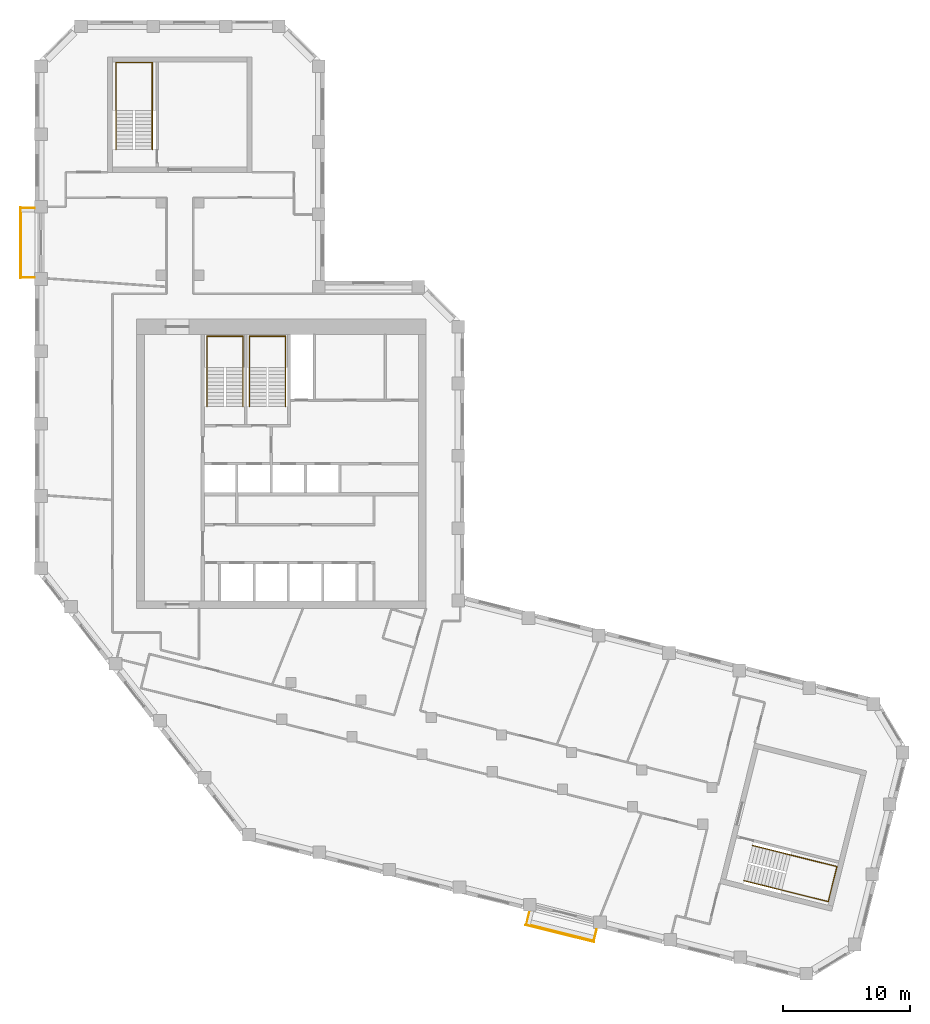
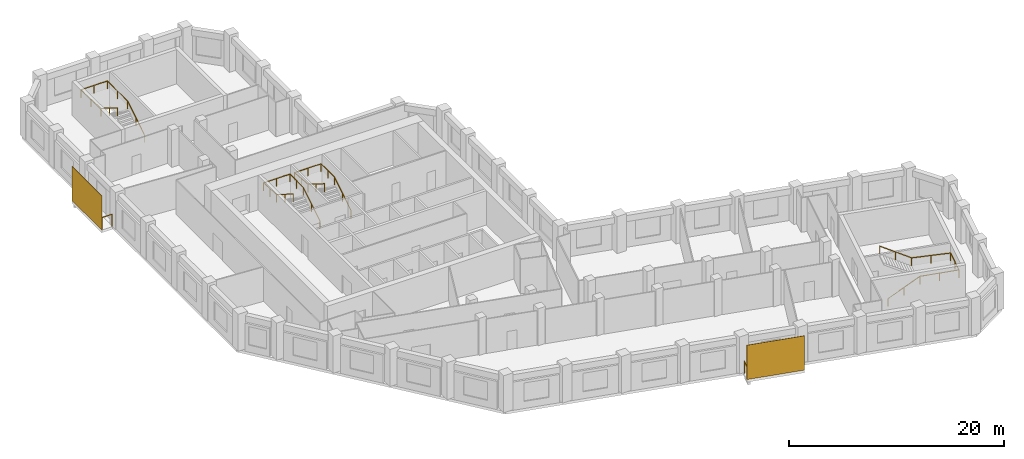
# One storey, part 9 of 9: 6 railings, 2 shading devices.
"""IFC4 building model written with IfcOpenShell, lengths in metres."""

from ifc_helpers import new_model, si_unit, direction, frame, origin, origin_2d, place, context, subcontext, project, spatial, rectangle, circle, extrude, material, layer, layer_set, type_object, element, save


model = new_model("IFC4")

# Units and contexts
model_context = context("Model", 3, precision=1e-05, world=origin(), true_north=direction((0.0, 1.0)))
body_context = subcontext(model_context, "Body", "Model", "MODEL_VIEW")
ifc_project = project(units=[si_unit("LENGTHUNIT", "METRE"), si_unit("AREAUNIT", "SQUARE_METRE"), si_unit("VOLUMEUNIT", "CUBIC_METRE"), si_unit("PLANEANGLEUNIT", "RADIAN"), si_unit("MASSUNIT", "GRAM", prefix="KILO")], contexts=[model_context])

# Site, building, storey
site_placement = place(None, origin())
site = spatial("IfcSite", under=ifc_project, at=site_placement, CompositionType="ELEMENT")
building_placement = place(site_placement, origin())
building = spatial("IfcBuilding", under=site, at=building_placement, Name="Meshkara Civic Tower", CompositionType="ELEMENT")
storey_placement = place(building_placement, frame((0.0, 0.0, 302.39990234375)))
storey = spatial("IfcBuildingStorey", under=building, at=storey_placement, Name="L69", CompositionType="ELEMENT", Elevation=302.39990234375)

# Railings
ifc_material_1 = material(Name="Steel S355", Category="steel")
railing_type_1 = type_object("IfcRailingType", Name="BALUSTRADE GUARD 1400", PredefinedType="BALUSTRADE", material=ifc_material_1)
railing_1_placement = place(storey_placement, frame((-0.050048828125, 45.635009765625, 0.0)))
element("IfcRailing", 1, at=railing_1_placement, inside=storey, type_object=railing_type_1, Name="Balcony guard", PredefinedType="BALUSTRADE", context=body_context, shape_type="SweptSolid", body=[
    extrude(circle(Radius=0.02392578125, at=origin_2d()), frame((0.0, 0.0, 1.3759765625), z_axis=(-1.0, 0.0, 0.0), x_axis=(0.0, -1.0, 0.0)), (0.0, 0.0, 1.0), 1.06005859375),
    extrude(circle(Radius=0.02392578125, at=origin_2d()), frame((-1.06005859375, 0.0, 1.3759765625), z_axis=(0.0, -1.0, 0.0), x_axis=(1.0, 0.0, 0.0)), (0.0, 0.0, 1.0), 5.4599609375),
    extrude(circle(Radius=0.02392578125, at=origin_2d()), frame((-1.06005859375, -5.4599609375, 1.3759765625), z_axis=(1.0, 0.0, 0.0), x_axis=(0.0, 1.0, 0.0)), (0.0, 0.0, 1.0), 1.06005859375),
    extrude(circle(Radius=0.02099609375, at=origin_2d()), origin(), (0.0, 0.0, 1.0), 1.351806640625),
    extrude(circle(Radius=0.02099609375, at=origin_2d()), frame((-1.06005859375, 0.0, 0.0)), (0.0, 0.0, 1.0), 1.351806640625),
    extrude(circle(Radius=0.02099609375, at=origin_2d()), frame((-1.06005859375, -1.092041015625, 0.0)), (0.0, 0.0, 1.0), 1.351806640625),
    extrude(circle(Radius=0.02099609375, at=origin_2d()), frame((-1.06005859375, -2.18408203125, 0.0)), (0.0, 0.0, 1.0), 1.351806640625),
    extrude(circle(Radius=0.02099609375, at=origin_2d()), frame((-1.06005859375, -3.27587890625, 0.0)), (0.0, 0.0, 1.0), 1.351806640625),
    extrude(circle(Radius=0.02099609375, at=origin_2d()), frame((-1.06005859375, -4.367919921875, 0.0)), (0.0, 0.0, 1.0), 1.351806640625),
    extrude(circle(Radius=0.02099609375, at=origin_2d()), frame((-1.06005859375, -5.4599609375, 0.0)), (0.0, 0.0, 1.0), 1.351806640625),
    extrude(circle(Radius=0.02099609375, at=origin_2d()), frame((0.0, -5.4599609375, 0.0)), (0.0, 0.0, 1.0), 1.351806640625),
])
railing_2_placement = place(storey_placement, frame((38.944091796875, -9.87109375, 0.0)))
element("IfcRailing", 2, at=railing_2_placement, inside=storey, type_object=railing_type_1, Name="Balcony guard", PredefinedType="BALUSTRADE", context=body_context, shape_type="SweptSolid", body=[
    extrude(circle(Radius=0.02392578125, at=origin_2d()), frame((0.0, 0.0, 1.3759765625), z_axis=(-0.242234682028, -0.970217686307, 0.0), x_axis=(0.970217686307, -0.242234682028, 0.0)), (0.0, 0.0, 1.0), 0.954345703125),
    extrude(circle(Radius=0.02392578125, at=origin_2d()), frame((-0.231201171875, -0.926025390625, 1.3759765625), z_axis=(0.970334237753, -0.241767382094, 0.0), x_axis=(0.241767382094, 0.970334237753, 0.0)), (0.0, 0.0, 1.0), 5.458984375),
    extrude(circle(Radius=0.02392578125, at=origin_2d()), frame((5.06591796875, -2.245849609375, 1.3759765625), z_axis=(0.242234364289, 0.970217765637, 0.0), x_axis=(-0.970217765637, 0.242234364289, 0.0)), (0.0, 0.0, 1.0), 0.953369140625),
    extrude(circle(Radius=0.02099609375, at=origin_2d()), origin(), (0.0, 0.0, 1.0), 1.351806640625),
    extrude(circle(Radius=0.02099609375, at=origin_2d()), frame((-0.231201171875, -0.926025390625, 0.0)), (0.0, 0.0, 1.0), 1.351806640625),
    extrude(circle(Radius=0.02099609375, at=origin_2d()), frame((0.828125, -1.18994140625, 0.0)), (0.0, 0.0, 1.0), 1.351806640625),
    extrude(circle(Radius=0.02099609375, at=origin_2d()), frame((1.8876953125, -1.453857421875, 0.0)), (0.0, 0.0, 1.0), 1.351806640625),
    extrude(circle(Radius=0.02099609375, at=origin_2d()), frame((2.947021484375, -1.718017578125, 0.0)), (0.0, 0.0, 1.0), 1.351806640625),
    extrude(circle(Radius=0.02099609375, at=origin_2d()), frame((4.006591796875, -1.98193359375, 0.0)), (0.0, 0.0, 1.0), 1.351806640625),
    extrude(circle(Radius=0.02099609375, at=origin_2d()), frame((5.06591796875, -2.245849609375, 0.0)), (0.0, 0.0, 1.0), 1.351806640625),
    extrude(circle(Radius=0.02099609375, at=origin_2d()), frame((5.296875, -1.32080078125, 0.0)), (0.0, 0.0, 1.0), 1.351806640625),
])

# Shading devices
ifc_material_2 = material(Name="Perforated bronze anodised aluminium sheet", Category="aluminium")
ifc_layer = layer(ifc_material_2, 0.0400390625)
ifc_layer_set = layer_set([ifc_layer], Name="PERFORATED BRONZE SCREEN")
shading_device_type = type_object("IfcShadingDeviceType", Name="PERFORATED BRONZE SCREEN", PredefinedType="USERDEFINED", material=ifc_layer_set)
shading_device_1_placement = place(storey_placement, frame((-1.179931640625, 42.905029296875, 0.000244140625), z_axis=(0.0, 0.0, 1.0), x_axis=(0.0, -1.0, 0.0)))
element("IfcShadingDevice", 3, at=shading_device_1_placement, inside=storey, type_object=shading_device_type, Name="Balcony screen", ObjectType="SCREEN", PredefinedType="USERDEFINED", context=body_context, shape_type="SweptSolid", body=[
    extrude(rectangle(XDim=5.580078125, YDim=0.0400390625, at=origin_2d()), origin(), (0.0, 0.0, 1.0), 3.89990234375),
])
shading_device_2_placement = place(storey_placement, frame((41.344970703125, -11.52490234375, 0.000244140625), z_axis=(0.0, 0.0, 1.0), x_axis=(0.970295726276, -0.2419218956, 0.0)))
element("IfcShadingDevice", 4, at=shading_device_2_placement, inside=storey, type_object=shading_device_type, Name="Balcony screen", ObjectType="SCREEN", PredefinedType="USERDEFINED", context=body_context, shape_type="SweptSolid", body=[
    extrude(rectangle(XDim=5.5791015625, YDim=0.0400390625, at=origin_2d()), origin(), (0.0, 0.0, 1.0), 3.89990234375),
])

# Railings
ifc_material_3 = material(Name="Steel handrail", Category="steel")
railing_type_2 = type_object("IfcRailingType", Name="Stair handrail 900", PredefinedType="HANDRAIL", material=ifc_material_3)
railing_3_placement = place(storey_placement, frame((16.375, 30.0, 0.175048828125)))
element("IfcRailing", 5, at=railing_3_placement, inside=storey, type_object=railing_type_2, Name="L69 ST1 stair handrail 1", PredefinedType="HANDRAIL", context=body_context, shape_type="SweptSolid", body=[
    extrude(circle(Radius=0.02392578125, at=origin_2d()), frame((0.0, 0.0, 0.8759765625), z_axis=(0.0, 0.847998304005, 0.529998940003), x_axis=(-1.0, 0.0, 0.0)), (0.0, 0.0, 1.0), 3.632080078125),
    extrude(circle(Radius=0.02392578125, at=origin_2d()), frame((0.0, 3.080078125, 2.80078125), z_axis=(0.0, 1.0, 0.0), x_axis=(-1.0, 0.0, 0.0)), (0.0, 0.0, 1.0), 2.469970703125),
    extrude(circle(Radius=0.02392578125, at=origin_2d()), frame((0.0, 5.550048828125, 2.80078125), z_axis=(-1.0, 0.0, 0.0), x_axis=(0.0, -1.0, 0.0)), (0.0, 0.0, 1.0), 2.85009765625),
    extrude(circle(Radius=0.02392578125, at=origin_2d()), frame((-2.85009765625, 5.550048828125, 2.80078125), z_axis=(0.0, -0.997498084828, 0.070693498747), x_axis=(1.0, 0.0, 0.0)), (0.0, 0.0, 1.0), 2.47607421875),
    extrude(circle(Radius=0.02392578125, at=origin_2d()), frame((-2.85009765625, 3.080078125, 2.97607421875), z_axis=(0.0, -0.847998304005, 0.529998940003), x_axis=(1.0, 0.0, 0.0)), (0.0, 0.0, 1.0), 3.632080078125),
    extrude(circle(Radius=0.02099609375, at=origin_2d()), origin(), (0.0, 0.0, 1.0), 0.851806640625),
    extrude(circle(Radius=0.02099609375, at=origin_2d()), frame((0.0, 1.5400390625, 0.96240234375)), (0.0, 0.0, 1.0), 0.851806640625),
    extrude(circle(Radius=0.02099609375, at=origin_2d()), frame((0.0, 3.080078125, 1.925048828125)), (0.0, 0.0, 1.0), 0.851806640625),
    extrude(circle(Radius=0.02099609375, at=origin_2d()), frame((0.0, 4.31494140625, 1.925048828125)), (0.0, 0.0, 1.0), 0.851806640625),
    extrude(circle(Radius=0.02099609375, at=origin_2d()), frame((0.0, 5.550048828125, 1.925048828125)), (0.0, 0.0, 1.0), 0.851806640625),
    extrude(circle(Radius=0.02099609375, at=origin_2d()), frame((-1.425048828125, 5.550048828125, 1.925048828125)), (0.0, 0.0, 1.0), 0.851806640625),
    extrude(circle(Radius=0.02099609375, at=origin_2d()), frame((-2.85009765625, 5.550048828125, 1.925048828125)), (0.0, 0.0, 1.0), 0.851806640625),
    extrude(circle(Radius=0.02099609375, at=origin_2d()), frame((-2.85009765625, 4.31494140625, 2.0126953125)), (0.0, 0.0, 1.0), 0.851806640625),
    extrude(circle(Radius=0.02099609375, at=origin_2d()), frame((-2.85009765625, 3.080078125, 2.10009765625)), (0.0, 0.0, 1.0), 0.851806640625),
    extrude(circle(Radius=0.02099609375, at=origin_2d()), frame((-2.85009765625, 1.5400390625, 3.0625)), (0.0, 0.0, 1.0), 0.851806640625),
    extrude(circle(Radius=0.02099609375, at=origin_2d()), frame((-2.85009765625, 0.0, 4.025146484375)), (0.0, 0.0, 1.0), 0.851806640625),
])
railing_4_placement = place(storey_placement, frame((19.72509765625, 30.0, 0.175048828125)))
element("IfcRailing", 6, at=railing_4_placement, inside=storey, type_object=railing_type_2, Name="L69 ST2 stair handrail 1", PredefinedType="HANDRAIL", context=body_context, shape_type="SweptSolid", body=[
    extrude(circle(Radius=0.02392578125, at=origin_2d()), frame((0.0, 0.0, 0.8759765625), z_axis=(0.0, 0.847998304005, 0.529998940003), x_axis=(-1.0, 0.0, 0.0)), (0.0, 0.0, 1.0), 3.632080078125),
    extrude(circle(Radius=0.02392578125, at=origin_2d()), frame((0.0, 3.080078125, 2.80078125), z_axis=(0.0, 1.0, 0.0), x_axis=(-1.0, 0.0, 0.0)), (0.0, 0.0, 1.0), 2.469970703125),
    extrude(circle(Radius=0.02392578125, at=origin_2d()), frame((0.0, 5.550048828125, 2.80078125), z_axis=(-1.0, 0.0, 0.0), x_axis=(0.0, -1.0, 0.0)), (0.0, 0.0, 1.0), 2.85009765625),
    extrude(circle(Radius=0.02392578125, at=origin_2d()), frame((-2.85009765625, 5.550048828125, 2.80078125), z_axis=(0.0, -0.997498084828, 0.070693498747), x_axis=(1.0, 0.0, 0.0)), (0.0, 0.0, 1.0), 2.47607421875),
    extrude(circle(Radius=0.02392578125, at=origin_2d()), frame((-2.85009765625, 3.080078125, 2.97607421875), z_axis=(0.0, -0.847998304005, 0.529998940003), x_axis=(1.0, 0.0, 0.0)), (0.0, 0.0, 1.0), 3.632080078125),
    extrude(circle(Radius=0.02099609375, at=origin_2d()), origin(), (0.0, 0.0, 1.0), 0.851806640625),
    extrude(circle(Radius=0.02099609375, at=origin_2d()), frame((0.0, 1.5400390625, 0.96240234375)), (0.0, 0.0, 1.0), 0.851806640625),
    extrude(circle(Radius=0.02099609375, at=origin_2d()), frame((0.0, 3.080078125, 1.925048828125)), (0.0, 0.0, 1.0), 0.851806640625),
    extrude(circle(Radius=0.02099609375, at=origin_2d()), frame((0.0, 4.31494140625, 1.925048828125)), (0.0, 0.0, 1.0), 0.851806640625),
    extrude(circle(Radius=0.02099609375, at=origin_2d()), frame((0.0, 5.550048828125, 1.925048828125)), (0.0, 0.0, 1.0), 0.851806640625),
    extrude(circle(Radius=0.02099609375, at=origin_2d()), frame((-1.425048828125, 5.550048828125, 1.925048828125)), (0.0, 0.0, 1.0), 0.851806640625),
    extrude(circle(Radius=0.02099609375, at=origin_2d()), frame((-2.85009765625, 5.550048828125, 1.925048828125)), (0.0, 0.0, 1.0), 0.851806640625),
    extrude(circle(Radius=0.02099609375, at=origin_2d()), frame((-2.85009765625, 4.31494140625, 2.0126953125)), (0.0, 0.0, 1.0), 0.851806640625),
    extrude(circle(Radius=0.02099609375, at=origin_2d()), frame((-2.85009765625, 3.080078125, 2.10009765625)), (0.0, 0.0, 1.0), 0.851806640625),
    extrude(circle(Radius=0.02099609375, at=origin_2d()), frame((-2.85009765625, 1.5400390625, 3.0625)), (0.0, 0.0, 1.0), 0.851806640625),
    extrude(circle(Radius=0.02099609375, at=origin_2d()), frame((-2.85009765625, 0.0, 4.025146484375)), (0.0, 0.0, 1.0), 0.851806640625),
])
railing_5_placement = place(storey_placement, frame((9.22509765625, 50.27001953125, 0.175048828125)))
element("IfcRailing", 7, at=railing_5_placement, inside=storey, type_object=railing_type_2, Name="L69 ESA5 stair handrail 1", PredefinedType="HANDRAIL", context=body_context, shape_type="SweptSolid", body=[
    extrude(circle(Radius=0.02392578125, at=origin_2d()), frame((0.0, 0.0, 0.8759765625), z_axis=(0.0, 0.847998304005, 0.529998940003), x_axis=(-1.0, 0.0, 0.0)), (0.0, 0.0, 1.0), 3.632080078125),
    extrude(circle(Radius=0.02392578125, at=origin_2d()), frame((0.0, 3.080078125, 2.80078125), z_axis=(0.0, 1.0, 0.0), x_axis=(-1.0, 0.0, 0.0)), (0.0, 0.0, 1.0), 3.77001953125),
    extrude(circle(Radius=0.02392578125, at=origin_2d()), frame((0.0, 6.85009765625, 2.80078125), z_axis=(-1.0, 0.0, 0.0), x_axis=(0.0, -1.0, 0.0)), (0.0, 0.0, 1.0), 2.85009765625),
    extrude(circle(Radius=0.02392578125, at=origin_2d()), frame((-2.85009765625, 6.85009765625, 2.80078125), z_axis=(0.0, -0.9989237834, 0.046381838667), x_axis=(1.0, 0.0, 0.0)), (0.0, 0.0, 1.0), 3.774169921875),
    extrude(circle(Radius=0.02392578125, at=origin_2d()), frame((-2.85009765625, 3.080078125, 2.97607421875), z_axis=(0.0, -0.847998304005, 0.529998940003), x_axis=(1.0, 0.0, 0.0)), (0.0, 0.0, 1.0), 3.632080078125),
    extrude(circle(Radius=0.02099609375, at=origin_2d()), origin(), (0.0, 0.0, 1.0), 0.851806640625),
    extrude(circle(Radius=0.02099609375, at=origin_2d()), frame((0.0, 1.5400390625, 0.96240234375)), (0.0, 0.0, 1.0), 0.851806640625),
    extrude(circle(Radius=0.02099609375, at=origin_2d()), frame((0.0, 3.080078125, 1.925048828125)), (0.0, 0.0, 1.0), 0.851806640625),
    extrude(circle(Radius=0.02099609375, at=origin_2d()), frame((0.0, 4.965087890625, 1.925048828125)), (0.0, 0.0, 1.0), 0.851806640625),
    extrude(circle(Radius=0.02099609375, at=origin_2d()), frame((0.0, 6.85009765625, 1.925048828125)), (0.0, 0.0, 1.0), 0.851806640625),
    extrude(circle(Radius=0.02099609375, at=origin_2d()), frame((-1.425048828125, 6.85009765625, 1.925048828125)), (0.0, 0.0, 1.0), 0.851806640625),
    extrude(circle(Radius=0.02099609375, at=origin_2d()), frame((-2.85009765625, 6.85009765625, 1.925048828125)), (0.0, 0.0, 1.0), 0.851806640625),
    extrude(circle(Radius=0.02099609375, at=origin_2d()), frame((-2.85009765625, 4.965087890625, 2.0126953125)), (0.0, 0.0, 1.0), 0.851806640625),
    extrude(circle(Radius=0.02099609375, at=origin_2d()), frame((-2.85009765625, 3.080078125, 2.10009765625)), (0.0, 0.0, 1.0), 0.851806640625),
    extrude(circle(Radius=0.02099609375, at=origin_2d()), frame((-2.85009765625, 1.5400390625, 3.0625)), (0.0, 0.0, 1.0), 0.851806640625),
    extrude(circle(Radius=0.02099609375, at=origin_2d()), frame((-2.85009765625, 0.0, 4.025146484375)), (0.0, 0.0, 1.0), 0.851806640625),
])
railing_6_placement = place(storey_placement, frame((55.849365234375, -7.3544921875, 0.175048828125)))
element("IfcRailing", 8, at=railing_6_placement, inside=storey, type_object=railing_type_2, Name="L69 ESB5 stair handrail 1", PredefinedType="HANDRAIL", context=body_context, shape_type="SweptSolid", body=[
    extrude(circle(Radius=0.02392578125, at=origin_2d()), frame((0.0, 0.0, 0.8759765625), z_axis=(0.822781968105, -0.205275396666, 0.529992306062), x_axis=(0.242069343812, 0.970258951408, 0.0)), (0.0, 0.0, 1.0), 3.63232421875),
    extrude(circle(Radius=0.02392578125, at=origin_2d()), frame((2.988525390625, -0.74560546875, 2.80078125), z_axis=(0.970256677427, -0.242078458165, 0.0), x_axis=(0.242078458165, 0.970256677427, 0.0)), (0.0, 0.0, 1.0), 3.769775390625),
    extrude(circle(Radius=0.02392578125, at=origin_2d()), frame((6.646240234375, -1.658203125, 2.80078125), z_axis=(0.242072031574, 0.970258280835, 0.0), x_axis=(-0.970258280835, 0.242072031574, 0.0)), (0.0, 0.0, 1.0), 2.85009765625),
    extrude(circle(Radius=0.02392578125, at=origin_2d()), frame((7.336181640625, 1.107177734375, 2.80078125), z_axis=(-0.969216294885, 0.241802743795, 0.046381104147), x_axis=(-0.242063248025, -0.970260472221, 0.0)), (0.0, 0.0, 1.0), 3.774169921875),
    extrude(circle(Radius=0.02392578125, at=origin_2d()), frame((3.67822265625, 2.019775390625, 2.97607421875), z_axis=(-0.822771605551, 0.205222362071, 0.530028930537), x_axis=(-0.242013336109, -0.97027292302, 0.0)), (0.0, 0.0, 1.0), 3.632080078125),
    extrude(circle(Radius=0.02099609375, at=origin_2d()), origin(), (0.0, 0.0, 1.0), 0.851806640625),
    extrude(circle(Radius=0.02099609375, at=origin_2d()), frame((1.494140625, -0.372802734375, 0.96240234375)), (0.0, 0.0, 1.0), 0.851806640625),
    extrude(circle(Radius=0.02099609375, at=origin_2d()), frame((2.988525390625, -0.74560546875, 1.925048828125)), (0.0, 0.0, 1.0), 0.851806640625),
    extrude(circle(Radius=0.02099609375, at=origin_2d()), frame((4.8173828125, -1.201904296875, 1.925048828125)), (0.0, 0.0, 1.0), 0.851806640625),
    extrude(circle(Radius=0.02099609375, at=origin_2d()), frame((6.646240234375, -1.658203125, 1.925048828125)), (0.0, 0.0, 1.0), 0.851806640625),
    extrude(circle(Radius=0.02099609375, at=origin_2d()), frame((6.9912109375, -0.275390625, 1.925048828125)), (0.0, 0.0, 1.0), 0.851806640625),
    extrude(circle(Radius=0.02099609375, at=origin_2d()), frame((7.336181640625, 1.107177734375, 1.925048828125)), (0.0, 0.0, 1.0), 0.851806640625),
    extrude(circle(Radius=0.02099609375, at=origin_2d()), frame((5.50732421875, 1.5634765625, 2.0126953125)), (0.0, 0.0, 1.0), 0.851806640625),
    extrude(circle(Radius=0.02099609375, at=origin_2d()), frame((3.67822265625, 2.019775390625, 2.10009765625)), (0.0, 0.0, 1.0), 0.851806640625),
    extrude(circle(Radius=0.02099609375, at=origin_2d()), frame((2.18408203125, 2.392578125, 3.0625)), (0.0, 0.0, 1.0), 0.851806640625),
    extrude(circle(Radius=0.02099609375, at=origin_2d()), frame((0.68994140625, 2.76513671875, 4.025146484375)), (0.0, 0.0, 1.0), 0.851806640625),
])

save(model, "model.ifc")
